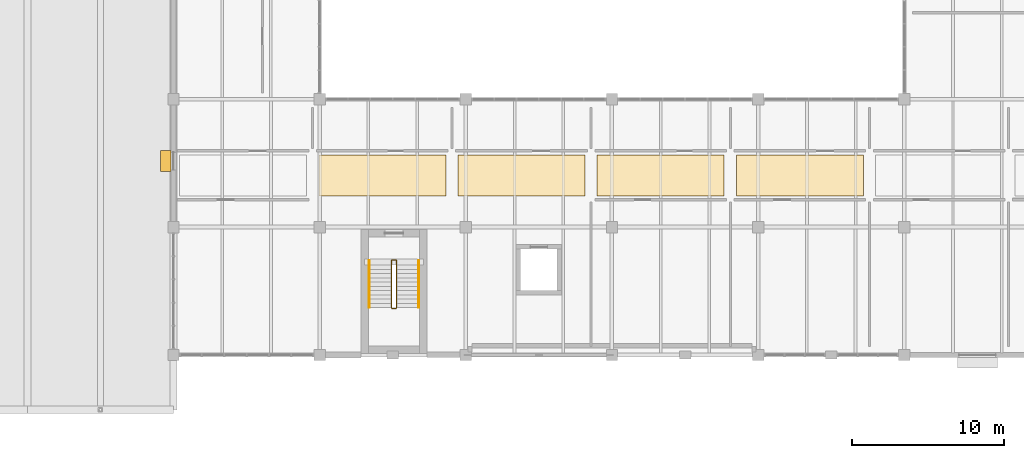
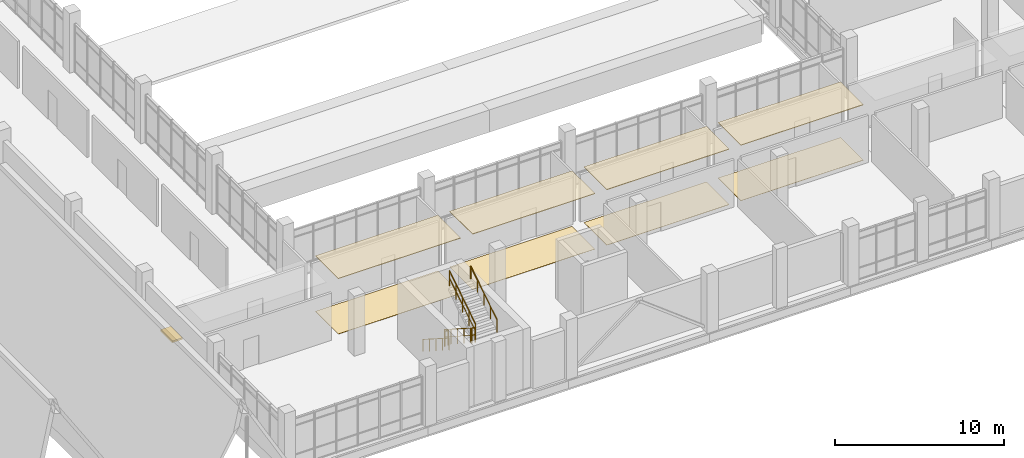
# One storey, part 78 of 86: 8 coverings, 6 railings, 1 shading device.
"""IFC4 building model written with IfcOpenShell, lengths in metres."""

from ifc_helpers import new_model, si_unit, direction, frame, origin, origin_2d, place, context, subcontext, project, spatial, polyline, rectangle, circle, outline, extrude, material, layer, layer_set, type_object, element, save


model = new_model("IFC4")

# Units and contexts
model_context = context("Model", 3, precision=1e-05, world=origin(), true_north=direction((0.0, 1.0)))
body_context = subcontext(model_context, "Body", "Model", "MODEL_VIEW")
ifc_project = project(units=[si_unit("LENGTHUNIT", "METRE"), si_unit("AREAUNIT", "SQUARE_METRE"), si_unit("VOLUMEUNIT", "CUBIC_METRE"), si_unit("PLANEANGLEUNIT", "RADIAN"), si_unit("MASSUNIT", "GRAM", prefix="KILO")], contexts=[model_context])

# Site, building, storey
site_placement = place(None, origin())
site = spatial("IfcSite", under=ifc_project, at=site_placement, CompositionType="ELEMENT")
building_placement = place(site_placement, origin())
building = spatial("IfcBuilding", under=site, at=building_placement, Name="Oolite Switchyard Hospital", CompositionType="ELEMENT")
storey_placement = place(building_placement, frame((0.0, 0.0, 13.5)))
storey = spatial("IfcBuildingStorey", under=building, at=storey_placement, Name="L03", CompositionType="ELEMENT", Elevation=13.5)

# Coverings
ifc_material_1 = material(Name="Hygienic washable mineral-fibre acoustic ceiling")
ifc_layer_1 = layer(ifc_material_1, 0.0400390625)
ifc_layer_set_1 = layer_set([ifc_layer_1], Name="COV-CEIL-AC60")
covering_type_1 = type_object("IfcCoveringType", Name="COV-CEIL-AC60", PredefinedType="CEILING", material=ifc_layer_set_1)
covering_1_placement = place(storey_placement, frame((0.0, 0.0, 3.985107421875)))
element("IfcCovering", 1, at=covering_1_placement, inside=storey, type_object=covering_type_1, Name="L03 Pediatric Outpatient Clinic Corridor Ceiling 2", PredefinedType="CEILING", context=body_context, shape_type="SweptSolid", body=[
    extrude(outline(polyline([(143.943115234375, 18.85009765625), (152.285888671875, 18.85009765625), (152.285888671875, 21.550048828125), (143.943115234375, 21.550048828125), (143.943115234375, 18.85009765625)])), origin(), (0.0, 0.0, 1.0), 0.039794921875),
])
covering_2_placement = place(storey_placement, frame((0.0, 0.0, 3.985107421875)))
element("IfcCovering", 2, at=covering_2_placement, inside=storey, type_object=covering_type_1, Name="L03 Pediatric Outpatient Clinic Corridor Ceiling 3", PredefinedType="CEILING", context=body_context, shape_type="SweptSolid", body=[
    extrude(outline(polyline([(153.0859375, 18.85009765625), (161.428955078125, 18.85009765625), (161.428955078125, 21.550048828125), (153.0859375, 21.550048828125), (153.0859375, 18.85009765625)])), origin(), (0.0, 0.0, 1.0), 0.039794921875),
])
covering_3_placement = place(storey_placement, frame((0.0, 0.0, 3.985107421875)))
element("IfcCovering", 3, at=covering_3_placement, inside=storey, type_object=covering_type_1, Name="L03 Pediatric Outpatient Clinic Corridor Ceiling 4", PredefinedType="CEILING", context=body_context, shape_type="SweptSolid", body=[
    extrude(outline(polyline([(162.22900390625, 18.85009765625), (170.572021484375, 18.85009765625), (170.572021484375, 21.550048828125), (162.22900390625, 21.550048828125), (162.22900390625, 18.85009765625)])), origin(), (0.0, 0.0, 1.0), 0.039794921875),
])
covering_4_placement = place(storey_placement, frame((0.0, 0.0, 3.985107421875)))
element("IfcCovering", 4, at=covering_4_placement, inside=storey, type_object=covering_type_1, Name="L03 Pediatric Outpatient Clinic Corridor Ceiling 5", PredefinedType="CEILING", context=body_context, shape_type="SweptSolid", body=[
    extrude(outline(polyline([(171.3720703125, 18.85009765625), (179.715087890625, 18.85009765625), (179.715087890625, 21.550048828125), (171.3720703125, 21.550048828125), (171.3720703125, 18.85009765625)])), origin(), (0.0, 0.0, 1.0), 0.039794921875),
])
ifc_material_2 = material(Name="Epoxy terrazzo seamless clinical flooring")
ifc_layer_2 = layer(ifc_material_2, 0.02001953125)
ifc_layer_set_2 = layer_set([ifc_layer_2], Name="COV-FLR-TER20")
covering_type_2 = type_object("IfcCoveringType", Name="COV-FLR-TER20", PredefinedType="FLOORING", material=ifc_layer_set_2)
covering_5_placement = place(storey_placement, origin())
element("IfcCovering", 5, at=covering_5_placement, inside=storey, type_object=covering_type_2, Name="L03 Pediatric Outpatient Clinic Corridor Flooring 2", PredefinedType="FLOORING", context=body_context, shape_type="SweptSolid", body=[
    extrude(outline(polyline([(143.943115234375, 18.85009765625), (152.285888671875, 18.85009765625), (152.285888671875, 21.550048828125), (143.943115234375, 21.550048828125), (143.943115234375, 18.85009765625)])), origin(), (0.0, 0.0, 1.0), 0.02001953125),
])
covering_6_placement = place(storey_placement, origin())
element("IfcCovering", 6, at=covering_6_placement, inside=storey, type_object=covering_type_2, Name="L03 Pediatric Outpatient Clinic Corridor Flooring 3", PredefinedType="FLOORING", context=body_context, shape_type="SweptSolid", body=[
    extrude(outline(polyline([(153.0859375, 18.85009765625), (161.428955078125, 18.85009765625), (161.428955078125, 21.550048828125), (153.0859375, 21.550048828125), (153.0859375, 18.85009765625)])), origin(), (0.0, 0.0, 1.0), 0.02001953125),
])
covering_7_placement = place(storey_placement, origin())
element("IfcCovering", 7, at=covering_7_placement, inside=storey, type_object=covering_type_2, Name="L03 Pediatric Outpatient Clinic Corridor Flooring 4", PredefinedType="FLOORING", context=body_context, shape_type="SweptSolid", body=[
    extrude(outline(polyline([(162.22900390625, 18.85009765625), (170.572021484375, 18.85009765625), (170.572021484375, 21.550048828125), (162.22900390625, 21.550048828125), (162.22900390625, 18.85009765625)])), origin(), (0.0, 0.0, 1.0), 0.02001953125),
])
covering_8_placement = place(storey_placement, origin())
element("IfcCovering", 8, at=covering_8_placement, inside=storey, type_object=covering_type_2, Name="L03 Pediatric Outpatient Clinic Corridor Flooring 5", PredefinedType="FLOORING", context=body_context, shape_type="SweptSolid", body=[
    extrude(outline(polyline([(171.3720703125, 18.85009765625), (179.715087890625, 18.85009765625), (179.715087890625, 21.550048828125), (171.3720703125, 21.550048828125), (171.3720703125, 18.85009765625)])), origin(), (0.0, 0.0, 1.0), 0.02001953125),
])

# Railings
ifc_material_3 = material(Name="Galvanized painted architectural steel handrail", Category="steel")
railing_type_1 = type_object("IfcRailingType", Name="RL-STAIR-GRD", PredefinedType="GUARDRAIL", material=ifc_material_3)
railing_1_placement = place(storey_placement, frame((148.7099609375, 14.590087890625, 0.17919921875)))
element("IfcRailing", 9, at=railing_1_placement, inside=storey, type_object=railing_type_1, Name="L03 ST-05 stair guard 1", PredefinedType="GUARDRAIL", context=body_context, shape_type="SweptSolid", body=[
    extrude(circle(Radius=0.02392578125, at=origin_2d()), frame((0.0, 0.0, 1.076171875), z_axis=(0.0, -0.842339298311, 0.538947591627), x_axis=(1.0, 0.0, 0.0)), (0.0, 0.0, 1.0), 3.656494140625),
    extrude(circle(Radius=0.015625, at=origin_2d()), frame((0.0, 0.0, 0.550048828125), z_axis=(0.0, -0.842339298311, 0.538947591627), x_axis=(1.0, 0.0, 0.0)), (0.0, 0.0, 1.0), 3.656494140625),
    extrude(circle(Radius=0.02099609375, at=origin_2d()), origin(), (0.0, 0.0, 1.0), 1.052001953125),
    extrude(circle(Radius=0.02099609375, at=origin_2d()), frame((0.0, -0.77001953125, 0.49267578125)), (0.0, 0.0, 1.0), 1.052001953125),
    extrude(circle(Radius=0.02099609375, at=origin_2d()), frame((0.0, -1.5400390625, 0.9853515625)), (0.0, 0.0, 1.0), 1.052001953125),
    extrude(circle(Radius=0.02099609375, at=origin_2d()), frame((0.0, -2.31005859375, 1.47802734375)), (0.0, 0.0, 1.0), 1.052001953125),
    extrude(circle(Radius=0.02099609375, at=origin_2d()), frame((0.0, -3.080078125, 1.970703125)), (0.0, 0.0, 1.0), 1.052001953125),
])
railing_2_placement = place(storey_placement, frame((148.760009765625, 11.4599609375, 2.14990234375)))
element("IfcRailing", 10, at=railing_2_placement, inside=storey, type_object=railing_type_1, Name="L03 ST-05 stair guard 2", PredefinedType="GUARDRAIL", context=body_context, shape_type="SweptSolid", body=[
    extrude(circle(Radius=0.02392578125, at=origin_2d()), frame((0.0, 0.0, 1.076171875), z_axis=(1.0, 0.0, 0.0), x_axis=(0.0, 1.0, 0.0)), (0.0, 0.0, 1.0), 0.239990234375),
    extrude(circle(Radius=0.015625, at=origin_2d()), frame((0.0, 0.0, 0.550048828125), z_axis=(1.0, 0.0, 0.0), x_axis=(0.0, 1.0, 0.0)), (0.0, 0.0, 1.0), 0.239990234375),
    extrude(circle(Radius=0.02099609375, at=origin_2d()), origin(), (0.0, 0.0, 1.0), 1.052001953125),
    extrude(circle(Radius=0.02099609375, at=origin_2d()), frame((0.239990234375, 0.0, 0.0)), (0.0, 0.0, 1.0), 1.052001953125),
])
railing_3_placement = place(storey_placement, frame((149.050048828125, 11.510009765625, 2.3291015625)))
element("IfcRailing", 11, at=railing_3_placement, inside=storey, type_object=railing_type_1, Name="L03 ST-05 stair guard 3", PredefinedType="GUARDRAIL", context=body_context, shape_type="SweptSolid", body=[
    extrude(circle(Radius=0.02392578125, at=origin_2d()), frame((0.0, 0.0, 1.076171875), z_axis=(0.0, 0.842308987159, 0.53899496301), x_axis=(-1.0, 0.0, 0.0)), (0.0, 0.0, 1.0), 3.65673828125),
    extrude(circle(Radius=0.015625, at=origin_2d()), frame((0.0, 0.0, 0.550048828125), z_axis=(0.0, 0.842308987159, 0.53899496301), x_axis=(-1.0, 0.0, 0.0)), (0.0, 0.0, 1.0), 3.65673828125),
    extrude(circle(Radius=0.02099609375, at=origin_2d()), origin(), (0.0, 0.0, 1.0), 1.052001953125),
    extrude(circle(Radius=0.02099609375, at=origin_2d()), frame((0.0, 0.77001953125, 0.49267578125)), (0.0, 0.0, 1.0), 1.052001953125),
    extrude(circle(Radius=0.02099609375, at=origin_2d()), frame((0.0, 1.5400390625, 0.9853515625)), (0.0, 0.0, 1.0), 1.052001953125),
    extrude(circle(Radius=0.02099609375, at=origin_2d()), frame((0.0, 2.31005859375, 1.478271484375)), (0.0, 0.0, 1.0), 1.052001953125),
    extrude(circle(Radius=0.02099609375, at=origin_2d()), frame((0.0, 3.080078125, 1.970947265625)), (0.0, 0.0, 1.0), 1.052001953125),
])
railing_4_placement = place(storey_placement, frame((148.760009765625, 14.639892578125, 0.0)))
element("IfcRailing", 12, at=railing_4_placement, inside=storey, type_object=railing_type_1, Name="L03 ST-05 stair guard 4", PredefinedType="GUARDRAIL", context=body_context, shape_type="SweptSolid", body=[
    extrude(circle(Radius=0.02392578125, at=origin_2d()), frame((0.0, 0.0, 1.076171875), z_axis=(1.0, 0.0, 0.0), x_axis=(0.0, 1.0, 0.0)), (0.0, 0.0, 1.0), 0.239990234375),
    extrude(circle(Radius=0.015625, at=origin_2d()), frame((0.0, 0.0, 0.550048828125), z_axis=(1.0, 0.0, 0.0), x_axis=(0.0, 1.0, 0.0)), (0.0, 0.0, 1.0), 0.239990234375),
    extrude(circle(Radius=0.02099609375, at=origin_2d()), origin(), (0.0, 0.0, 1.0), 1.052001953125),
    extrude(circle(Radius=0.02099609375, at=origin_2d()), frame((0.239990234375, 0.0, 0.0)), (0.0, 0.0, 1.0), 1.052001953125),
])
railing_type_2 = type_object("IfcRailingType", Name="RL-STAIR-HND", PredefinedType="HANDRAIL", material=ifc_material_3)
railing_5_placement = place(storey_placement, frame((147.25, 14.590087890625, 0.17919921875)))
element("IfcRailing", 13, at=railing_5_placement, inside=storey, type_object=railing_type_2, Name="L03 ST-05 stair handrail 1", PredefinedType="HANDRAIL", context=body_context, shape_type="SweptSolid", body=[
    extrude(circle(Radius=0.02392578125, at=origin_2d()), frame((0.0, 0.0, 0.8759765625), z_axis=(0.0, -0.842339298311, 0.538947591627), x_axis=(1.0, 0.0, 0.0)), (0.0, 0.0, 1.0), 3.656494140625),
    extrude(circle(Radius=0.02099609375, at=origin_2d()), origin(), (0.0, 0.0, 1.0), 0.851806640625),
    extrude(circle(Radius=0.02099609375, at=origin_2d()), frame((0.0, -0.77001953125, 0.49267578125)), (0.0, 0.0, 1.0), 0.851806640625),
    extrude(circle(Radius=0.02099609375, at=origin_2d()), frame((0.0, -1.5400390625, 0.9853515625)), (0.0, 0.0, 1.0), 0.851806640625),
    extrude(circle(Radius=0.02099609375, at=origin_2d()), frame((0.0, -2.31005859375, 1.47802734375)), (0.0, 0.0, 1.0), 0.851806640625),
    extrude(circle(Radius=0.02099609375, at=origin_2d()), frame((0.0, -3.080078125, 1.970703125)), (0.0, 0.0, 1.0), 0.851806640625),
])
railing_6_placement = place(storey_placement, frame((150.510009765625, 11.510009765625, 2.3291015625)))
element("IfcRailing", 14, at=railing_6_placement, inside=storey, type_object=railing_type_2, Name="L03 ST-05 stair handrail 2", PredefinedType="HANDRAIL", context=body_context, shape_type="SweptSolid", body=[
    extrude(circle(Radius=0.02392578125, at=origin_2d()), frame((0.0, 0.0, 0.8759765625), z_axis=(0.0, 0.842308987159, 0.53899496301), x_axis=(-1.0, 0.0, 0.0)), (0.0, 0.0, 1.0), 3.65673828125),
    extrude(circle(Radius=0.02099609375, at=origin_2d()), origin(), (0.0, 0.0, 1.0), 0.851806640625),
    extrude(circle(Radius=0.02099609375, at=origin_2d()), frame((0.0, 0.77001953125, 0.49267578125)), (0.0, 0.0, 1.0), 0.851806640625),
    extrude(circle(Radius=0.02099609375, at=origin_2d()), frame((0.0, 1.5400390625, 0.9853515625)), (0.0, 0.0, 1.0), 0.851806640625),
    extrude(circle(Radius=0.02099609375, at=origin_2d()), frame((0.0, 2.31005859375, 1.478271484375)), (0.0, 0.0, 1.0), 0.851806640625),
    extrude(circle(Radius=0.02099609375, at=origin_2d()), frame((0.0, 3.080078125, 1.970947265625)), (0.0, 0.0, 1.0), 0.851806640625),
])

# Shading device
ifc_material_4 = material(Name="Precast oolitic limestone architectural concrete C40/50", Category="masonry")
ifc_layer_3 = layer(ifc_material_4, 0.1201171875)
ifc_layer_set_3 = layer_set([ifc_layer_3], Name="SHD-BRISE-900")
shading_device_type = type_object("IfcShadingDeviceType", Name="SHD-BRISE-900", PredefinedType="AWNING", material=ifc_layer_set_3)
shading_device_placement = place(storey_placement, frame((133.89990234375, 21.131103515625, 2.06005859375), z_axis=(0.0, 0.0, 1.0), x_axis=(0.0, 1.0, 0.0)))
element("IfcShadingDevice", 15, at=shading_device_placement, inside=storey, type_object=shading_device_type, Name="L03 Classical Brise-Soleil Sunshade 41", PredefinedType="AWNING", context=body_context, shape_type="SweptSolid", body=[
    extrude(rectangle(XDim=1.389892578125, YDim=0.699951171875, at=origin_2d()), origin(), (0.0, 0.0, 1.0), 0.1201171875),
])

save(model, "model.ifc")
